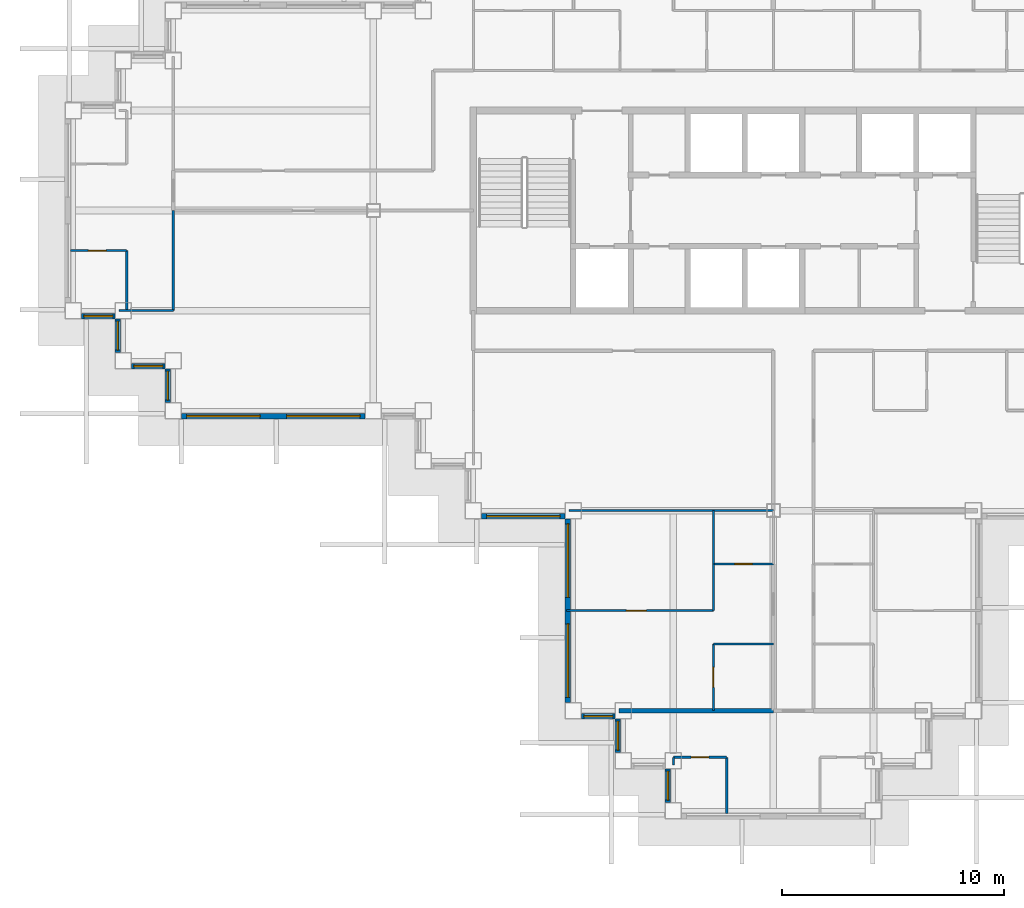
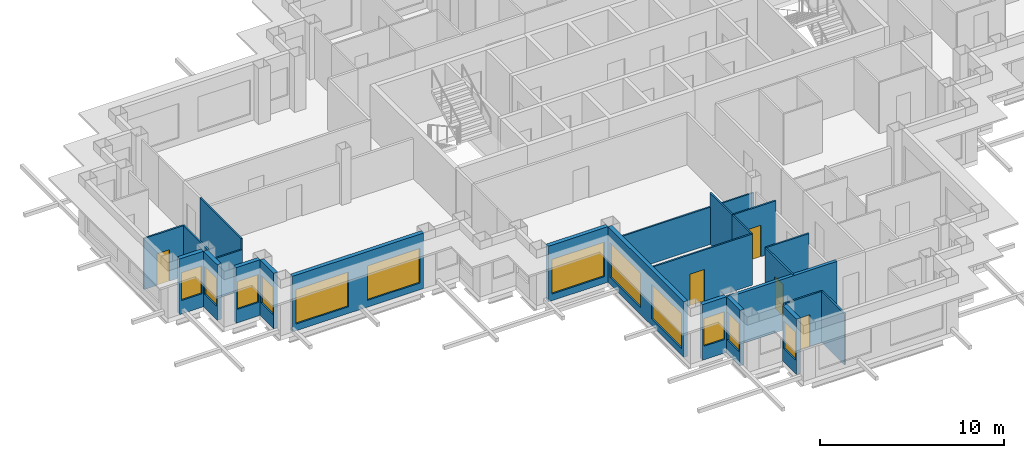
# One storey, part 3 of 15: 26 walls, 12 windows, 5 doors, 17 openings.
"""IFC4 building model written with IfcOpenShell, lengths in metres."""

import ifcopenshell
import ifcopenshell.guid

model = None  # the IFC model being written
_history = None  # IfcOwnerHistory: only IFC2X3 demands one
_inside = {}  # id of a spatial element -> (the spatial element, [elements in it])
_under = {}  # id of a project, library or spatial element -> (it, [spatial elements below it])
_declared = {}  # id of a project -> (the project, [libraries it declares])
_typed = {}  # id of a type object -> (the type object, [elements of that type])
_made_of = {}  # id of a material, layer set ... -> (it, [elements and type objects made of it])


def new_model(schema):
    """Start an empty IFC model of exactly this schema.

    Asked for "IFC4X3", IfcOpenShell would pick the latest addendum, in which some entities
    have other attributes; the version numbers below select the first issue.
    IFC2X3 requires an IfcOwnerHistory on every rooted entity: one is made here for all.
    """
    global model, _history
    if schema == "IFC4X3":
        model = ifcopenshell.file(schema_version=(4, 3, 0, 0))
    else:
        model = ifcopenshell.file(schema=schema)
    _inside.clear()
    _under.clear()
    _declared.clear()
    _typed.clear()
    _made_of.clear()
    _history = None
    if model.schema == "IFC2X3":
        org = make("IfcOrganization", Name="unknown")
        user = make(
            "IfcPersonAndOrganization",
            ThePerson=make("IfcPerson", FamilyName="unknown"),
            TheOrganization=org,
        )
        app = make(
            "IfcApplication",
            ApplicationDeveloper=org,
            Version="unknown",
            ApplicationFullName="unknown",
            ApplicationIdentifier="unknown",
        )
        _history = make(
            "IfcOwnerHistory",
            OwningUser=user,
            OwningApplication=app,
            ChangeAction="ADDED",
            CreationDate=0,
        )
    return model


def make(cls, **values):
    """One entity of the class cls with the attributes given. An attribute that is None is left unset."""
    return model.create_entity(
        cls, **{name: value for name, value in values.items() if value is not None}
    )


def rooted(cls, **values):
    """An entity with a GlobalId (a new one), such as an element, a storey or a relation."""
    return make(cls, GlobalId=ifcopenshell.guid.new(), OwnerHistory=_history, **values)


def si_unit(unit_type, name, prefix=None):
    """IfcSIUnit, for example si_unit("LENGTHUNIT", "METRE", prefix="MILLI")."""
    return make("IfcSIUnit", UnitType=unit_type, Prefix=prefix, Name=name)


def assignment(units):
    """IfcUnitAssignment: the units of a project."""
    return None if units is None else make("IfcUnitAssignment", Units=units)


def point(xyz):
    """IfcCartesianPoint."""
    return None if xyz is None else make("IfcCartesianPoint", Coordinates=xyz)


def direction(xyz):
    """IfcDirection."""
    return None if xyz is None else make("IfcDirection", DirectionRatios=xyz)


def frame(location, z_axis=None, x_axis=None):
    """IfcAxis2Placement3D, a coordinate frame: its origin and axes. An axis left out is left unset."""
    return make(
        "IfcAxis2Placement3D",
        Location=point(location),
        Axis=direction(z_axis),
        RefDirection=direction(x_axis),
    )


def frame_2d(location, x_axis=None):
    """IfcAxis2Placement2D, a coordinate frame in the plane: its origin and x axis."""
    return make(
        "IfcAxis2Placement2D", Location=point(location), RefDirection=direction(x_axis)
    )


def origin():
    """The frame at (0, 0, 0) with its axes left unset."""
    return frame((0.0, 0.0, 0.0))


def place(relative_to, where):
    """IfcLocalPlacement: puts the frame where relative to a parent placement (None: the world)."""
    return make(
        "IfcLocalPlacement", PlacementRelTo=relative_to, RelativePlacement=where
    )


def context(
    kind, dimensions, precision=None, world=None, true_north=None, identifier=None
):
    """IfcGeometricRepresentationContext, for example the 3D "Model" context."""
    return make(
        "IfcGeometricRepresentationContext",
        ContextIdentifier=identifier,
        ContextType=kind,
        CoordinateSpaceDimension=dimensions,
        Precision=precision,
        WorldCoordinateSystem=world,
        TrueNorth=true_north,
    )


def subcontext(parent, identifier, kind, view, scale=None):
    """IfcGeometricRepresentationSubContext, for example "Body" below "Model"."""
    return make(
        "IfcGeometricRepresentationSubContext",
        ContextIdentifier=identifier,
        ContextType=kind,
        ParentContext=parent,
        TargetScale=scale,
        TargetView=view,
    )


def project(units=None, contexts=None):
    """IfcProject with its units and contexts."""
    return rooted(
        "IfcProject",
        Name="project",
        RepresentationContexts=contexts,
        UnitsInContext=assignment(units),
    )


def spatial(cls, under=None, at=None, **own):
    """A site, building, storey or space (cls), placed at a placement, below another one or the project."""
    s = rooted(cls, ObjectPlacement=at, **own)
    if under is not None:
        _under.setdefault(under.id(), (under, []))[1].append(s)
    return s


def profile(cls, at=None, kind="AREA", **sizes):
    """A parametric profile (cls). Its sizes go by their IFC names, for example OverallWidth=200.0."""
    return make(cls, ProfileType=kind, Position=at, **sizes)


def rectangle(**sizes):
    """IfcRectangleProfileDef."""
    return profile("IfcRectangleProfileDef", **sizes)


def extrude(swept, where, along, depth):
    """IfcExtrudedAreaSolid: the profile swept, set in the frame where, extruded along a direction by depth."""
    return make(
        "IfcExtrudedAreaSolid",
        SweptArea=swept,
        Position=where,
        ExtrudedDirection=direction(along),
        Depth=depth,
    )


def shape(context_of_items, identifier, shape_type, items):
    """IfcShapeRepresentation: the items that make up one representation, for example the "Body"."""
    return make(
        "IfcShapeRepresentation",
        ContextOfItems=context_of_items,
        RepresentationIdentifier=identifier,
        RepresentationType=shape_type,
        Items=items,
    )


def material(Name=None, Category=None):
    """IfcMaterial."""
    return make("IfcMaterial", Name=Name, Category=Category)


def layer(
    of_material, thickness, ventilated=None, Name=None, Category=None, Priority=None
):
    """IfcMaterialLayer: one layer of a wall or slab, of a material (None: an air gap)."""
    return make(
        "IfcMaterialLayer",
        Material=of_material,
        LayerThickness=thickness,
        IsVentilated=ventilated,
        Name=Name,
        Category=Category,
        Priority=Priority,
    )


def layer_set(layers, Name=None):
    """IfcMaterialLayerSet."""
    return make("IfcMaterialLayerSet", MaterialLayers=layers, LayerSetName=Name)


def made_of(thing, what):
    """Note that an element or type object is made of a material, layer set ...; save() writes the relation."""
    if what is not None:
        _made_of.setdefault(what.id(), (what, []))[1].append(thing)
    return thing


def type_object(cls, material=None, **own):
    """A type object (cls), such as IfcWallType, which elements share."""
    return made_of(rooted(cls, **own), material)


def element(
    cls,
    number,
    at=None,
    inside=None,
    cuts=None,
    type_object=None,
    material=None,
    context=None,
    identifier="Body",
    shape_type=None,
    held_by="IfcProductDefinitionShape",
    body=None,
    shapes=None,
    **own,
):
    """One element of the class cls, such as IfcWall. Its Tag is "e" and its number.

    at: its placement. inside: the storey or other place that contains it. cuts: it is an
    opening in that element (IfcRelVoidsElement). A single representation is given by context,
    identifier, shape_type and body (its items); several are given by shapes. held_by: the class
    of the entity that holds the representations. save() writes the other relations.
    """
    e = rooted(cls, Tag="e%d" % number, ObjectPlacement=at, **own)
    if body is not None:
        shapes = [shape(context, identifier, shape_type, body)]
    if shapes is not None:
        e.Representation = make(held_by, Representations=shapes)
    if inside is not None:
        _inside.setdefault(inside.id(), (inside, []))[1].append(e)
    if cuts is not None:
        rooted(
            "IfcRelVoidsElement", RelatingBuildingElement=cuts, RelatedOpeningElement=e
        )
    if type_object is not None:
        _typed.setdefault(type_object.id(), (type_object, []))[1].append(e)
    return made_of(e, material)


def fill(opening, filler):
    """IfcRelFillsElement: the door or window that sits in an opening."""
    return rooted(
        "IfcRelFillsElement",
        RelatingOpeningElement=opening,
        RelatedBuildingElement=filler,
    )


def aggregate(whole, parts):
    """IfcRelAggregates: a whole, such as a stair, and the parts it consists of."""
    return rooted("IfcRelAggregates", RelatingObject=whole, RelatedObjects=parts)


def save(model, path):
    """Write the relations noted so far, then the file.

    IfcRelAggregates (storeys below a building ...), IfcRelContainedInSpatialStructure (elements
    in a storey), IfcRelDefinesByType, IfcRelAssociatesMaterial and IfcRelDeclares: one each for
    every whole, place, type object, material and project.
    """
    for whole, parts in _under.values():
        aggregate(whole, parts)
    for where, things in _inside.values():
        rooted(
            "IfcRelContainedInSpatialStructure",
            RelatedElements=things,
            RelatingStructure=where,
        )
    for kind, things in _typed.values():
        rooted("IfcRelDefinesByType", RelatedObjects=things, RelatingType=kind)
    for what, things in _made_of.values():
        rooted("IfcRelAssociatesMaterial", RelatedObjects=things, RelatingMaterial=what)
    for by, libraries in _declared.values():
        rooted("IfcRelDeclares", RelatingContext=by, RelatedDefinitions=libraries)
    model.write(path)


model = new_model("IFC4")

# Units and contexts
model_context = context("Model", 3, precision=1e-05, world=origin(), true_north=direction((0.0, 1.0)))
body_context = subcontext(model_context, "Body", "Model", "MODEL_VIEW")
ifc_project = project(units=[si_unit("LENGTHUNIT", "METRE"), si_unit("AREAUNIT", "SQUARE_METRE"), si_unit("VOLUMEUNIT", "CUBIC_METRE"), si_unit("PLANEANGLEUNIT", "RADIAN"), si_unit("MASSUNIT", "GRAM", prefix="KILO")], contexts=[model_context])

# Site, building, storey
site_placement = place(None, origin())
site = spatial("IfcSite", under=ifc_project, at=site_placement, CompositionType="ELEMENT")
building_placement = place(site_placement, origin())
building = spatial("IfcBuilding", under=site, at=building_placement, Name="Caravel Reach Hotel and Residences", CompositionType="ELEMENT")
storey_placement = place(building_placement, frame((0.0, 0.0, 172.800048828125)))
storey = spatial("IfcBuildingStorey", under=building, at=storey_placement, Name="L43", CompositionType="ELEMENT", Elevation=172.800048828125)

# Wall, opening, door
ifc_material_1 = material(Name="Gypsum board on steel stud", Category="steel")
ifc_layer_1 = layer(ifc_material_1, 0.10009765625)
ifc_layer_set_1 = layer_set([ifc_layer_1], Name="Bathroom pod wall 100 mm")
wall_type_1 = type_object("IfcWallType", Name="Bathroom pod wall 100 mm", PredefinedType="PARTITIONING", material=ifc_layer_set_1)
wall_1_placement = place(storey_placement, frame((28.800048828125, 11.10009765625, 0.0), z_axis=(0.0, 0.0, 1.0), x_axis=(1.0, 0.0, 0.0)))
wall_1 = element("IfcWall", 1, at=wall_1_placement, inside=storey, type_object=wall_type_1, Name="L43 wall w088", PredefinedType="PARTITIONING", context=body_context, shape_type="SweptSolid", body=[
    extrude(rectangle(XDim=2.699951171875, YDim=0.10009765625, at=frame_2d((1.35009765625, 0.0))), origin(), (0.0, 0.0, 1.0), 3.39990234375),
])
opening_1_placement = place(wall_1_placement, frame((0.949951171875, 0.0, 0.0)))
opening_1 = element("IfcOpeningElement", 2, at=opening_1_placement, cuts=wall_1, Name="Opening D43-042", PredefinedType="OPENING", context=body_context, shape_type="SweptSolid", body=[
    extrude(rectangle(XDim=0.800048828125, YDim=2.10009765625, at=frame_2d((0.39990234375, 1.050048828125))), frame((0.0, 0.06005859375, 0.0), z_axis=(0.0, -1.0, 0.0), x_axis=(1.0, 0.0, 0.0)), (0.0, 0.0, 1.0), 0.1201171875),
])
ifc_material_2 = material(Name="Timber and steel door leaf", Category="steel")
door_type_1 = type_object("IfcDoorType", Name="Bathroom door 800 x 2100", OperationType="SINGLE_SWING_LEFT", PredefinedType="DOOR", material=ifc_material_2)
door_1_placement = place(opening_1_placement, origin())
door_1 = element("IfcDoor", 3, at=door_1_placement, inside=storey, type_object=door_type_1, Name="door D43-042", OperationType="SINGLE_SWING_LEFT", OverallHeight=2.10009765625, OverallWidth=0.800048828125, PredefinedType="DOOR", context=body_context, shape_type="SweptSolid", body=[
    extrude(rectangle(XDim=0.800048828125, YDim=2.10009765625, at=frame_2d((0.39990234375, 1.050048828125))), frame((0.0, 0.02490234375, 0.0), z_axis=(0.0, -1.0, 0.0), x_axis=(1.0, 0.0, 0.0)), (0.0, 0.0, 1.0), 0.050048828125),
])
fill(opening_1, door_1)

# Wall
wall_2_placement = place(storey_placement, frame((28.800048828125, 13.5, 0.0), z_axis=(0.0, 0.0, 1.0), x_axis=(1.0, 0.0, 0.0)))
element("IfcWall", 4, at=wall_2_placement, inside=storey, type_object=wall_type_1, Name="L43 wall w090", PredefinedType="PARTITIONING", context=body_context, shape_type="SweptSolid", body=[
    extrude(rectangle(XDim=2.699951171875, YDim=0.10009765625, at=frame_2d((1.35009765625, 0.0))), origin(), (0.0, 0.0, 1.0), 2.47998046875),
])

# Wall, opening, door
wall_3_placement = place(storey_placement, frame((27.0, 2.39990234375, 0.0), z_axis=(0.0, 0.0, 1.0), x_axis=(1.0, 0.0, 0.0)))
wall_3 = element("IfcWall", 5, at=wall_3_placement, inside=storey, type_object=wall_type_1, Name="L43 wall w092", PredefinedType="PARTITIONING", context=body_context, shape_type="SweptSolid", body=[
    extrude(rectangle(XDim=2.39990234375, YDim=0.10009765625, at=frame_2d((1.199951171875, 0.0))), origin(), (0.0, 0.0, 1.0), 3.39990234375),
])
opening_2_placement = place(wall_3_placement, frame((0.800048828125, 0.0, 0.0)))
opening_2 = element("IfcOpeningElement", 6, at=opening_2_placement, cuts=wall_3, Name="Opening D43-055", PredefinedType="OPENING", context=body_context, shape_type="SweptSolid", body=[
    extrude(rectangle(XDim=0.800048828125, YDim=2.10009765625, at=frame_2d((0.39990234375, 1.050048828125))), frame((0.0, 0.06005859375, 0.0), z_axis=(0.0, -1.0, 0.0), x_axis=(1.0, 0.0, 0.0)), (0.0, 0.0, 1.0), 0.1201171875),
])
door_2_placement = place(opening_2_placement, origin())
door_2 = element("IfcDoor", 7, at=door_2_placement, inside=storey, type_object=door_type_1, Name="door D43-055", OperationType="SINGLE_SWING_RIGHT", OverallHeight=2.10009765625, OverallWidth=0.800048828125, PredefinedType="DOOR", context=body_context, shape_type="SweptSolid", body=[
    extrude(rectangle(XDim=0.800048828125, YDim=2.10009765625, at=frame_2d((0.39990234375, 1.050048828125))), frame((0.0, 0.02490234375, 0.0), z_axis=(0.0, -1.0, 0.0), x_axis=(1.0, 0.0, 0.0)), (0.0, 0.0, 1.0), 0.050048828125),
])
fill(opening_2, door_2)

wall_4_placement = place(storey_placement, frame((-0.125, 25.199951171875, 0.0), z_axis=(0.0, 0.0, 1.0), x_axis=(1.0, 0.0, 0.0)))
wall_4 = element("IfcWall", 8, at=wall_4_placement, inside=storey, type_object=wall_type_1, Name="L43 wall w096", PredefinedType="PARTITIONING", context=body_context, shape_type="SweptSolid", body=[
    extrude(rectangle(XDim=2.52490234375, YDim=0.10009765625, at=frame_2d((1.262451171875, 0.0))), origin(), (0.0, 0.0, 1.0), 3.39990234375),
])
opening_3_placement = place(wall_4_placement, frame((0.800048828125, 0.0, 0.0)))
opening_3 = element("IfcOpeningElement", 9, at=opening_3_placement, cuts=wall_4, Name="Opening D43-049", PredefinedType="OPENING", context=body_context, shape_type="SweptSolid", body=[
    extrude(rectangle(XDim=0.800048828125, YDim=2.10009765625, at=frame_2d((0.39990234375, 1.050048828125))), frame((0.0, 0.06005859375, 0.0), z_axis=(0.0, -1.0, 0.0), x_axis=(1.0, 0.0, 0.0)), (0.0, 0.0, 1.0), 0.1201171875),
])
door_3_placement = place(opening_3_placement, origin())
door_3 = element("IfcDoor", 10, at=door_3_placement, inside=storey, type_object=door_type_1, Name="door D43-049", OperationType="SINGLE_SWING_LEFT", OverallHeight=2.10009765625, OverallWidth=0.800048828125, PredefinedType="DOOR", context=body_context, shape_type="SweptSolid", body=[
    extrude(rectangle(XDim=0.800048828125, YDim=2.10009765625, at=frame_2d((0.39990234375, 1.050048828125))), frame((0.0, 0.02490234375, 0.0), z_axis=(0.0, -1.0, 0.0), x_axis=(1.0, 0.0, 0.0)), (0.0, 0.0, 1.0), 0.050048828125),
])
fill(opening_3, door_3)

# Walls
wall_5_placement = place(storey_placement, frame((2.39990234375, 22.5, 0.0), z_axis=(0.0, 0.0, 1.0), x_axis=(0.0, 1.0, 0.0)))
element("IfcWall", 11, at=wall_5_placement, inside=storey, type_object=wall_type_1, Name="L43 wall w107", PredefinedType="PARTITIONING", context=body_context, shape_type="SweptSolid", body=[
    extrude(rectangle(XDim=2.699951171875, YDim=0.10009765625, at=frame_2d((1.35009765625, 0.0))), origin(), (0.0, 0.0, 1.0), 3.39990234375),
])
wall_6_placement = place(storey_placement, frame((27.0, 2.06005859375, 0.0), z_axis=(0.0, 0.0, 1.0), x_axis=(0.0, 1.0, 0.0)))
element("IfcWall", 12, at=wall_6_placement, inside=storey, type_object=wall_type_1, Name="L43 wall w109", PredefinedType="PARTITIONING", context=body_context, shape_type="SweptSolid", body=[
    extrude(rectangle(XDim=0.33984375, YDim=0.10009765625, at=frame_2d((0.169921875, 0.0))), origin(), (0.0, 0.0, 1.0), 3.39990234375),
])
wall_7_placement = place(storey_placement, frame((28.800048828125, 11.10009765625, 0.0), z_axis=(0.0, 0.0, 1.0), x_axis=(0.0, 1.0, 0.0)))
element("IfcWall", 13, at=wall_7_placement, inside=storey, type_object=wall_type_1, Name="L43 wall w111", PredefinedType="PARTITIONING", context=body_context, shape_type="SweptSolid", body=[
    extrude(rectangle(XDim=2.39990234375, YDim=0.10009765625, at=frame_2d((1.199951171875, 0.0))), origin(), (0.0, 0.0, 1.0), 3.39990234375),
])
wall_8_placement = place(storey_placement, frame((29.39990234375, -0.125, 0.0), z_axis=(0.0, 0.0, 1.0), x_axis=(0.0, 1.0, 0.0)))
element("IfcWall", 14, at=wall_8_placement, inside=storey, type_object=wall_type_1, Name="L43 wall w112", PredefinedType="PARTITIONING", context=body_context, shape_type="SweptSolid", body=[
    extrude(rectangle(XDim=2.52490234375, YDim=0.10009765625, at=frame_2d((1.262451171875, 0.0))), origin(), (0.0, 0.0, 1.0), 3.39990234375),
])

# Wall, opening, window
ifc_material_3 = material(Name="Insulated rainscreen wall, aluminium cladding", Category="aluminium")
ifc_layer_2 = layer(ifc_material_3, 0.25)
ifc_layer_set_2 = layer_set([ifc_layer_2], Name="EW1 Tower rainscreen wall")
wall_type_2 = type_object("IfcWallType", Name="EW1 Tower rainscreen wall", PredefinedType="SOLIDWALL", material=ifc_layer_set_2)
wall_9_placement = place(storey_placement, frame((22.875, 4.25, 0.0), z_axis=(0.0, 0.0, 1.0), x_axis=(1.0, 0.0, 0.0)))
wall_9 = element("IfcWall", 15, at=wall_9_placement, inside=storey, type_object=wall_type_2, Name="External wall L43 S1.1", PredefinedType="SOLIDWALL", context=body_context, shape_type="SweptSolid", body=[
    extrude(rectangle(XDim=1.5, YDim=0.25, at=frame_2d((0.75, 0.0))), origin(), (0.0, 0.0, 1.0), 3.699951171875),
])
opening_4_placement = place(wall_9_placement, frame((0.10009765625, 0.0, 0.89990234375)))
opening_4 = element("IfcOpeningElement", 16, at=opening_4_placement, cuts=wall_9, Name="Opening WN16", PredefinedType="OPENING", context=body_context, shape_type="SweptSolid", body=[
    extrude(rectangle(XDim=1.300048828125, YDim=1.85009765625, at=frame_2d((0.64990234375, 0.925048828125))), frame((0.0, 0.135009765625, 0.0), z_axis=(0.0, -1.0, 0.0), x_axis=(1.0, 0.0, 0.0)), (0.0, 0.0, 1.0), 0.27001953125),
])
ifc_material_4 = material(Name="Dark low-e glazing in black aluminium frame", Category="aluminium")
window_type_1 = type_object("IfcWindowType", Name="Residence bedroom window 1300 x 1850", PartitioningType="SINGLE_PANEL", PredefinedType="WINDOW", material=ifc_material_4)
window_1_placement = place(opening_4_placement, origin())
window_1 = element("IfcWindow", 17, at=window_1_placement, inside=storey, type_object=window_type_1, Name="Window L43 S1.1.1", OverallHeight=1.85009765625, OverallWidth=1.300048828125, PartitioningType="SINGLE_PANEL", PredefinedType="WINDOW", context=body_context, shape_type="SweptSolid", body=[
    extrude(rectangle(XDim=1.300048828125, YDim=1.85009765625, at=frame_2d((0.64990234375, 0.925048828125))), frame((0.0, 0.030029296875, 0.0), z_axis=(0.0, -1.0, 0.0), x_axis=(1.0, 0.0, 0.0)), (0.0, 0.0, 1.0), 0.06005859375),
])
fill(opening_4, window_1)

wall_10_placement = place(storey_placement, frame((24.5, 4.125, 0.0), z_axis=(0.0, 0.0, 1.0), x_axis=(0.0, -1.0, 0.0)))
wall_10 = element("IfcWall", 18, at=wall_10_placement, inside=storey, type_object=wall_type_2, Name="External wall L43 W2.1", PredefinedType="SOLIDWALL", context=body_context, shape_type="SweptSolid", body=[
    extrude(rectangle(XDim=1.5, YDim=0.25, at=frame_2d((0.75, 0.0))), origin(), (0.0, 0.0, 1.0), 3.699951171875),
])
opening_5_placement = place(wall_10_placement, frame((0.10009765625, 0.0, 0.89990234375)))
opening_5 = element("IfcOpeningElement", 19, at=opening_5_placement, cuts=wall_10, Name="Opening WN16", PredefinedType="OPENING", context=body_context, shape_type="SweptSolid", body=[
    extrude(rectangle(XDim=1.300048828125, YDim=1.85009765625, at=frame_2d((0.64990234375, 0.925048828125))), frame((0.0, 0.135009765625, 0.0), z_axis=(0.0, -1.0, 0.0), x_axis=(1.0, 0.0, 0.0)), (0.0, 0.0, 1.0), 0.27001953125),
])
window_2_placement = place(opening_5_placement, origin())
window_2 = element("IfcWindow", 20, at=window_2_placement, inside=storey, type_object=window_type_1, Name="Window L43 W2.1.1", OverallHeight=1.85009765625, OverallWidth=1.300048828125, PartitioningType="SINGLE_PANEL", PredefinedType="WINDOW", context=body_context, shape_type="SweptSolid", body=[
    extrude(rectangle(XDim=1.300048828125, YDim=1.85009765625, at=frame_2d((0.64990234375, 0.925048828125))), frame((0.0, 0.030029296875, 0.0), z_axis=(0.0, -1.0, 0.0), x_axis=(1.0, 0.0, 0.0)), (0.0, 0.0, 1.0), 0.06005859375),
])
fill(opening_5, window_2)

wall_11_placement = place(storey_placement, frame((26.75, 1.875, 0.0), z_axis=(0.0, 0.0, 1.0), x_axis=(0.0, -1.0, 0.0)))
wall_11 = element("IfcWall", 21, at=wall_11_placement, inside=storey, type_object=wall_type_2, Name="External wall L43 W4.1", PredefinedType="SOLIDWALL", context=body_context, shape_type="SweptSolid", body=[
    extrude(rectangle(XDim=1.5, YDim=0.25, at=frame_2d((0.75, 0.0))), origin(), (0.0, 0.0, 1.0), 3.699951171875),
])
opening_6_placement = place(wall_11_placement, frame((0.10009765625, 0.0, 0.89990234375)))
opening_6 = element("IfcOpeningElement", 22, at=opening_6_placement, cuts=wall_11, Name="Opening WN16", PredefinedType="OPENING", context=body_context, shape_type="SweptSolid", body=[
    extrude(rectangle(XDim=1.300048828125, YDim=1.85009765625, at=frame_2d((0.64990234375, 0.925048828125))), frame((0.0, 0.135009765625, 0.0), z_axis=(0.0, -1.0, 0.0), x_axis=(1.0, 0.0, 0.0)), (0.0, 0.0, 1.0), 0.27001953125),
])
window_3_placement = place(opening_6_placement, origin())
window_3 = element("IfcWindow", 23, at=window_3_placement, inside=storey, type_object=window_type_1, Name="Window L43 W4.1.1", OverallHeight=1.85009765625, OverallWidth=1.300048828125, PartitioningType="SINGLE_PANEL", PredefinedType="WINDOW", context=body_context, shape_type="SweptSolid", body=[
    extrude(rectangle(XDim=1.300048828125, YDim=1.85009765625, at=frame_2d((0.64990234375, 0.925048828125))), frame((0.0, 0.030029296875, 0.0), z_axis=(0.0, -1.0, 0.0), x_axis=(1.0, 0.0, 0.0)), (0.0, 0.0, 1.0), 0.06005859375),
])
fill(opening_6, window_3)

wall_12_placement = place(storey_placement, frame((0.375, 22.25, 0.0), z_axis=(0.0, 0.0, 1.0), x_axis=(1.0, 0.0, 0.0)))
wall_12 = element("IfcWall", 24, at=wall_12_placement, inside=storey, type_object=wall_type_2, Name="External wall L43 S39.1", PredefinedType="SOLIDWALL", context=body_context, shape_type="SweptSolid", body=[
    extrude(rectangle(XDim=1.5, YDim=0.25, at=frame_2d((0.75, 0.0))), origin(), (0.0, 0.0, 1.0), 3.699951171875),
])
opening_7_placement = place(wall_12_placement, frame((0.10009765625, 0.0, 0.89990234375)))
opening_7 = element("IfcOpeningElement", 25, at=opening_7_placement, cuts=wall_12, Name="Opening WN16", PredefinedType="OPENING", context=body_context, shape_type="SweptSolid", body=[
    extrude(rectangle(XDim=1.300048828125, YDim=1.85009765625, at=frame_2d((0.64990234375, 0.925048828125))), frame((0.0, 0.135009765625, 0.0), z_axis=(0.0, -1.0, 0.0), x_axis=(1.0, 0.0, 0.0)), (0.0, 0.0, 1.0), 0.27001953125),
])
window_4_placement = place(opening_7_placement, origin())
window_4 = element("IfcWindow", 26, at=window_4_placement, inside=storey, type_object=window_type_1, Name="Window L43 S39.1.1", OverallHeight=1.85009765625, OverallWidth=1.300048828125, PartitioningType="SINGLE_PANEL", PredefinedType="WINDOW", context=body_context, shape_type="SweptSolid", body=[
    extrude(rectangle(XDim=1.300048828125, YDim=1.85009765625, at=frame_2d((0.64990234375, 0.925048828125))), frame((0.0, 0.030029296875, 0.0), z_axis=(0.0, -1.0, 0.0), x_axis=(1.0, 0.0, 0.0)), (0.0, 0.0, 1.0), 0.06005859375),
])
fill(opening_7, window_4)

wall_13_placement = place(storey_placement, frame((2.0, 22.125, 0.0), z_axis=(0.0, 0.0, 1.0), x_axis=(0.0, -1.0, 0.0)))
wall_13 = element("IfcWall", 27, at=wall_13_placement, inside=storey, type_object=wall_type_2, Name="External wall L43 W40.1", PredefinedType="SOLIDWALL", context=body_context, shape_type="SweptSolid", body=[
    extrude(rectangle(XDim=1.5, YDim=0.25, at=frame_2d((0.75, 0.0))), origin(), (0.0, 0.0, 1.0), 3.699951171875),
])
opening_8_placement = place(wall_13_placement, frame((0.10009765625, 0.0, 0.89990234375)))
opening_8 = element("IfcOpeningElement", 28, at=opening_8_placement, cuts=wall_13, Name="Opening WN16", PredefinedType="OPENING", context=body_context, shape_type="SweptSolid", body=[
    extrude(rectangle(XDim=1.300048828125, YDim=1.85009765625, at=frame_2d((0.64990234375, 0.925048828125))), frame((0.0, 0.135009765625, 0.0), z_axis=(0.0, -1.0, 0.0), x_axis=(1.0, 0.0, 0.0)), (0.0, 0.0, 1.0), 0.27001953125),
])
window_5_placement = place(opening_8_placement, origin())
window_5 = element("IfcWindow", 29, at=window_5_placement, inside=storey, type_object=window_type_1, Name="Window L43 W40.1.1", OverallHeight=1.85009765625, OverallWidth=1.300048828125, PartitioningType="SINGLE_PANEL", PredefinedType="WINDOW", context=body_context, shape_type="SweptSolid", body=[
    extrude(rectangle(XDim=1.300048828125, YDim=1.85009765625, at=frame_2d((0.64990234375, 0.925048828125))), frame((0.0, 0.030029296875, 0.0), z_axis=(0.0, -1.0, 0.0), x_axis=(1.0, 0.0, 0.0)), (0.0, 0.0, 1.0), 0.06005859375),
])
fill(opening_8, window_5)

wall_14_placement = place(storey_placement, frame((2.625, 20.0, 0.0), z_axis=(0.0, 0.0, 1.0), x_axis=(1.0, 0.0, 0.0)))
wall_14 = element("IfcWall", 30, at=wall_14_placement, inside=storey, type_object=wall_type_2, Name="External wall L43 S41.1", PredefinedType="SOLIDWALL", context=body_context, shape_type="SweptSolid", body=[
    extrude(rectangle(XDim=1.5, YDim=0.25, at=frame_2d((0.75, 0.0))), origin(), (0.0, 0.0, 1.0), 3.699951171875),
])
opening_9_placement = place(wall_14_placement, frame((0.10009765625, 0.0, 0.89990234375)))
opening_9 = element("IfcOpeningElement", 31, at=opening_9_placement, cuts=wall_14, Name="Opening WN16", PredefinedType="OPENING", context=body_context, shape_type="SweptSolid", body=[
    extrude(rectangle(XDim=1.300048828125, YDim=1.85009765625, at=frame_2d((0.64990234375, 0.925048828125))), frame((0.0, 0.135009765625, 0.0), z_axis=(0.0, -1.0, 0.0), x_axis=(1.0, 0.0, 0.0)), (0.0, 0.0, 1.0), 0.27001953125),
])
window_6_placement = place(opening_9_placement, origin())
window_6 = element("IfcWindow", 32, at=window_6_placement, inside=storey, type_object=window_type_1, Name="Window L43 S41.1.1", OverallHeight=1.85009765625, OverallWidth=1.300048828125, PartitioningType="SINGLE_PANEL", PredefinedType="WINDOW", context=body_context, shape_type="SweptSolid", body=[
    extrude(rectangle(XDim=1.300048828125, YDim=1.85009765625, at=frame_2d((0.64990234375, 0.925048828125))), frame((0.0, 0.030029296875, 0.0), z_axis=(0.0, -1.0, 0.0), x_axis=(1.0, 0.0, 0.0)), (0.0, 0.0, 1.0), 0.06005859375),
])
fill(opening_9, window_6)

wall_15_placement = place(storey_placement, frame((4.25, 19.875, 0.0), z_axis=(0.0, 0.0, 1.0), x_axis=(0.0, -1.0, 0.0)))
wall_15 = element("IfcWall", 33, at=wall_15_placement, inside=storey, type_object=wall_type_2, Name="External wall L43 W42.1", PredefinedType="SOLIDWALL", context=body_context, shape_type="SweptSolid", body=[
    extrude(rectangle(XDim=1.5, YDim=0.25, at=frame_2d((0.75, 0.0))), origin(), (0.0, 0.0, 1.0), 3.699951171875),
])
opening_10_placement = place(wall_15_placement, frame((0.10009765625, 0.0, 0.89990234375)))
opening_10 = element("IfcOpeningElement", 34, at=opening_10_placement, cuts=wall_15, Name="Opening WN16", PredefinedType="OPENING", context=body_context, shape_type="SweptSolid", body=[
    extrude(rectangle(XDim=1.300048828125, YDim=1.85009765625, at=frame_2d((0.64990234375, 0.925048828125))), frame((0.0, 0.135009765625, 0.0), z_axis=(0.0, -1.0, 0.0), x_axis=(1.0, 0.0, 0.0)), (0.0, 0.0, 1.0), 0.27001953125),
])
window_7_placement = place(opening_10_placement, origin())
window_7 = element("IfcWindow", 35, at=window_7_placement, inside=storey, type_object=window_type_1, Name="Window L43 W42.1.1", OverallHeight=1.85009765625, OverallWidth=1.300048828125, PartitioningType="SINGLE_PANEL", PredefinedType="WINDOW", context=body_context, shape_type="SweptSolid", body=[
    extrude(rectangle(XDim=1.300048828125, YDim=1.85009765625, at=frame_2d((0.64990234375, 0.925048828125))), frame((0.0, 0.030029296875, 0.0), z_axis=(0.0, -1.0, 0.0), x_axis=(1.0, 0.0, 0.0)), (0.0, 0.0, 1.0), 0.06005859375),
])
fill(opening_10, window_7)

# Wall, openings, windows
wall_16_placement = place(storey_placement, frame((4.875, 17.75, 0.0), z_axis=(0.0, 0.0, 1.0), x_axis=(1.0, 0.0, 0.0)))
wall_16 = element("IfcWall", 36, at=wall_16_placement, inside=storey, type_object=wall_type_2, Name="External wall L43 S43.1", PredefinedType="SOLIDWALL", context=body_context, shape_type="SweptSolid", body=[
    extrude(rectangle(XDim=8.25, YDim=0.25, at=frame_2d((4.125, 0.0))), origin(), (0.0, 0.0, 1.0), 3.699951171875),
])
opening_11_placement = place(wall_16_placement, frame((0.22509765625, 0.0, 0.449951171875)))
opening_11 = element("IfcOpeningElement", 37, at=opening_11_placement, cuts=wall_16, Name="Opening WN15", PredefinedType="OPENING", context=body_context, shape_type="SweptSolid", body=[
    extrude(rectangle(XDim=3.300048828125, YDim=2.300048828125, at=frame_2d((1.64990234375, 1.14990234375))), frame((0.0, 0.135009765625, 0.0), z_axis=(0.0, -1.0, 0.0), x_axis=(1.0, 0.0, 0.0)), (0.0, 0.0, 1.0), 0.27001953125),
])
opening_12_placement = place(wall_16_placement, frame((4.72509765625, 0.0, 0.449951171875)))
opening_12 = element("IfcOpeningElement", 38, at=opening_12_placement, cuts=wall_16, Name="Opening WN15", PredefinedType="OPENING", context=body_context, shape_type="SweptSolid", body=[
    extrude(rectangle(XDim=3.300048828125, YDim=2.300048828125, at=frame_2d((1.64990234375, 1.14990234375))), frame((0.0, 0.135009765625, 0.0), z_axis=(0.0, -1.0, 0.0), x_axis=(1.0, 0.0, 0.0)), (0.0, 0.0, 1.0), 0.27001953125),
])
ifc_material_5 = material(Name="Dark low-e glazing in black aluminium frame", Category="aluminium")
window_type_2 = type_object("IfcWindowType", Name="Residence living window 3300 x 2300", PartitioningType="SINGLE_PANEL", PredefinedType="WINDOW", material=ifc_material_5)
window_8_placement = place(opening_11_placement, origin())
window_8 = element("IfcWindow", 39, at=window_8_placement, inside=storey, type_object=window_type_2, Name="Window L43 S43.1.1", OverallHeight=2.300048828125, OverallWidth=3.300048828125, PartitioningType="SINGLE_PANEL", PredefinedType="WINDOW", context=body_context, shape_type="SweptSolid", body=[
    extrude(rectangle(XDim=3.300048828125, YDim=2.300048828125, at=frame_2d((1.64990234375, 1.14990234375))), frame((0.0, 0.030029296875, 0.0), z_axis=(0.0, -1.0, 0.0), x_axis=(1.0, 0.0, 0.0)), (0.0, 0.0, 1.0), 0.06005859375),
])
fill(opening_11, window_8)
window_9_placement = place(opening_12_placement, origin())
window_9 = element("IfcWindow", 40, at=window_9_placement, inside=storey, type_object=window_type_2, Name="Window L43 S43.1.2", OverallHeight=2.300048828125, OverallWidth=3.300048828125, PartitioningType="SINGLE_PANEL", PredefinedType="WINDOW", context=body_context, shape_type="SweptSolid", body=[
    extrude(rectangle(XDim=3.300048828125, YDim=2.300048828125, at=frame_2d((1.64990234375, 1.14990234375))), frame((0.0, 0.030029296875, 0.0), z_axis=(0.0, -1.0, 0.0), x_axis=(1.0, 0.0, 0.0)), (0.0, 0.0, 1.0), 0.06005859375),
])
fill(opening_12, window_9)

# Wall, opening, window
wall_17_placement = place(storey_placement, frame((18.375, 13.25, 0.0), z_axis=(0.0, 0.0, 1.0), x_axis=(1.0, 0.0, 0.0)))
wall_17 = element("IfcWall", 41, at=wall_17_placement, inside=storey, type_object=wall_type_2, Name="External wall L43 S47.1", PredefinedType="SOLIDWALL", context=body_context, shape_type="SweptSolid", body=[
    extrude(rectangle(XDim=3.75, YDim=0.25, at=frame_2d((1.875, 0.0))), origin(), (0.0, 0.0, 1.0), 3.699951171875),
])
opening_13_placement = place(wall_17_placement, frame((0.22509765625, 0.0, 0.449951171875)))
opening_13 = element("IfcOpeningElement", 42, at=opening_13_placement, cuts=wall_17, Name="Opening WN15", PredefinedType="OPENING", context=body_context, shape_type="SweptSolid", body=[
    extrude(rectangle(XDim=3.300048828125, YDim=2.300048828125, at=frame_2d((1.64990234375, 1.14990234375))), frame((0.0, 0.135009765625, 0.0), z_axis=(0.0, -1.0, 0.0), x_axis=(1.0, 0.0, 0.0)), (0.0, 0.0, 1.0), 0.27001953125),
])
window_10_placement = place(opening_13_placement, origin())
window_10 = element("IfcWindow", 43, at=window_10_placement, inside=storey, type_object=window_type_2, Name="Window L43 S47.1.1", OverallHeight=2.300048828125, OverallWidth=3.300048828125, PartitioningType="SINGLE_PANEL", PredefinedType="WINDOW", context=body_context, shape_type="SweptSolid", body=[
    extrude(rectangle(XDim=3.300048828125, YDim=2.300048828125, at=frame_2d((1.64990234375, 1.14990234375))), frame((0.0, 0.030029296875, 0.0), z_axis=(0.0, -1.0, 0.0), x_axis=(1.0, 0.0, 0.0)), (0.0, 0.0, 1.0), 0.06005859375),
])
fill(opening_13, window_10)

# Wall, openings, windows
wall_18_placement = place(storey_placement, frame((22.25, 13.125, 0.0), z_axis=(0.0, 0.0, 1.0), x_axis=(0.0, -1.0, 0.0)))
wall_18 = element("IfcWall", 44, at=wall_18_placement, inside=storey, type_object=wall_type_2, Name="External wall L43 W48.1", PredefinedType="SOLIDWALL", context=body_context, shape_type="SweptSolid", body=[
    extrude(rectangle(XDim=8.25, YDim=0.25, at=frame_2d((4.125, 0.0))), origin(), (0.0, 0.0, 1.0), 3.699951171875),
])
opening_14_placement = place(wall_18_placement, frame((0.22509765625, 0.0, 0.449951171875)))
opening_14 = element("IfcOpeningElement", 45, at=opening_14_placement, cuts=wall_18, Name="Opening WN15", PredefinedType="OPENING", context=body_context, shape_type="SweptSolid", body=[
    extrude(rectangle(XDim=3.300048828125, YDim=2.300048828125, at=frame_2d((1.64990234375, 1.14990234375))), frame((0.0, 0.135009765625, 0.0), z_axis=(0.0, -1.0, 0.0), x_axis=(1.0, 0.0, 0.0)), (0.0, 0.0, 1.0), 0.27001953125),
])
opening_15_placement = place(wall_18_placement, frame((4.72509765625, 0.0, 0.449951171875)))
opening_15 = element("IfcOpeningElement", 46, at=opening_15_placement, cuts=wall_18, Name="Opening WN15", PredefinedType="OPENING", context=body_context, shape_type="SweptSolid", body=[
    extrude(rectangle(XDim=3.300048828125, YDim=2.300048828125, at=frame_2d((1.64990234375, 1.14990234375))), frame((0.0, 0.135009765625, 0.0), z_axis=(0.0, -1.0, 0.0), x_axis=(1.0, 0.0, 0.0)), (0.0, 0.0, 1.0), 0.27001953125),
])
window_11_placement = place(opening_14_placement, origin())
window_11 = element("IfcWindow", 47, at=window_11_placement, inside=storey, type_object=window_type_2, Name="Window L43 W48.1.1", OverallHeight=2.300048828125, OverallWidth=3.300048828125, PartitioningType="SINGLE_PANEL", PredefinedType="WINDOW", context=body_context, shape_type="SweptSolid", body=[
    extrude(rectangle(XDim=3.300048828125, YDim=2.300048828125, at=frame_2d((1.64990234375, 1.14990234375))), frame((0.0, 0.030029296875, 0.0), z_axis=(0.0, -1.0, 0.0), x_axis=(1.0, 0.0, 0.0)), (0.0, 0.0, 1.0), 0.06005859375),
])
fill(opening_14, window_11)
window_12_placement = place(opening_15_placement, origin())
window_12 = element("IfcWindow", 48, at=window_12_placement, inside=storey, type_object=window_type_2, Name="Window L43 W48.1.2", OverallHeight=2.300048828125, OverallWidth=3.300048828125, PartitioningType="SINGLE_PANEL", PredefinedType="WINDOW", context=body_context, shape_type="SweptSolid", body=[
    extrude(rectangle(XDim=3.300048828125, YDim=2.300048828125, at=frame_2d((1.64990234375, 1.14990234375))), frame((0.0, 0.030029296875, 0.0), z_axis=(0.0, -1.0, 0.0), x_axis=(1.0, 0.0, 0.0)), (0.0, 0.0, 1.0), 0.06005859375),
])
fill(opening_15, window_12)

# Walls
ifc_material_6 = material(Name="Gypsum board on steel stud", Category="steel")
ifc_layer_3 = layer(ifc_material_6, 0.10009765625)
ifc_layer_set_3 = layer_set([ifc_layer_3], Name="Partition 100 mm")
wall_type_3 = type_object("IfcWallType", Name="Partition 100 mm", PredefinedType="PARTITIONING", material=ifc_layer_set_3)
wall_19_placement = place(storey_placement, frame((22.31005859375, 13.5, 0.0), z_axis=(0.0, 0.0, 1.0), x_axis=(1.0, 0.0, 0.0)))
element("IfcWall", 49, at=wall_19_placement, inside=storey, type_object=wall_type_3, Name="L43 wall w031", PredefinedType="PARTITIONING", context=body_context, shape_type="SweptSolid", body=[
    extrude(rectangle(XDim=6.489990234375, YDim=0.10009765625, at=frame_2d((3.2451171875, 0.0))), origin(), (0.0, 0.0, 1.0), 2.47998046875),
])
wall_20_placement = place(storey_placement, frame((2.06005859375, 22.5, 0.0), z_axis=(0.0, 0.0, 1.0), x_axis=(1.0, 0.0, 0.0)))
element("IfcWall", 50, at=wall_20_placement, inside=storey, type_object=wall_type_3, Name="L43 wall w036", PredefinedType="PARTITIONING", context=body_context, shape_type="SweptSolid", body=[
    extrude(rectangle(XDim=2.43896484375, YDim=0.10009765625, at=frame_2d((1.219482421875, 0.0))), origin(), (0.0, 0.0, 1.0), 2.679931640625),
])
wall_21_placement = place(storey_placement, frame((28.800048828125, 7.5, 0.0), z_axis=(0.0, 0.0, 1.0), x_axis=(1.0, 0.0, 0.0)))
element("IfcWall", 51, at=wall_21_placement, inside=storey, type_object=wall_type_3, Name="L43 wall w049", PredefinedType="PARTITIONING", context=body_context, shape_type="SweptSolid", body=[
    extrude(rectangle(XDim=2.699951171875, YDim=0.10009765625, at=frame_2d((1.35009765625, 0.0))), origin(), (0.0, 0.0, 1.0), 3.39990234375),
])

# Wall, opening, door
wall_22_placement = place(storey_placement, frame((22.18505859375, 9.0, 0.0), z_axis=(0.0, 0.0, 1.0), x_axis=(1.0, 0.0, 0.0)))
wall_22 = element("IfcWall", 52, at=wall_22_placement, inside=storey, type_object=wall_type_3, Name="L43 wall w051", PredefinedType="PARTITIONING", context=body_context, shape_type="SweptSolid", body=[
    extrude(rectangle(XDim=6.614990234375, YDim=0.10009765625, at=frame_2d((3.3076171875, 0.0))), origin(), (0.0, 0.0, 1.0), 3.39990234375),
])
opening_16_placement = place(wall_22_placement, frame((2.699951171875, 0.0, 0.0)))
opening_16 = element("IfcOpeningElement", 53, at=opening_16_placement, cuts=wall_22, Name="Opening D43-043", PredefinedType="OPENING", context=body_context, shape_type="SweptSolid", body=[
    extrude(rectangle(XDim=0.89990234375, YDim=2.10009765625, at=frame_2d((0.449951171875, 1.050048828125))), frame((0.0, 0.06005859375, 0.0), z_axis=(0.0, -1.0, 0.0), x_axis=(1.0, 0.0, 0.0)), (0.0, 0.0, 1.0), 0.1201171875),
])
ifc_material_7 = material(Name="Timber and steel door leaf", Category="steel")
door_type_2 = type_object("IfcDoorType", Name="Door 900 x 2100 timber", OperationType="SINGLE_SWING_LEFT", PredefinedType="DOOR", material=ifc_material_7)
door_4_placement = place(opening_16_placement, origin())
door_4 = element("IfcDoor", 54, at=door_4_placement, inside=storey, type_object=door_type_2, Name="door D43-043", OperationType="SINGLE_SWING_RIGHT", OverallHeight=2.10009765625, OverallWidth=0.89990234375, PredefinedType="DOOR", context=body_context, shape_type="SweptSolid", body=[
    extrude(rectangle(XDim=0.89990234375, YDim=2.10009765625, at=frame_2d((0.449951171875, 1.050048828125))), frame((0.0, 0.02490234375, 0.0), z_axis=(0.0, -1.0, 0.0), x_axis=(1.0, 0.0, 0.0)), (0.0, 0.0, 1.0), 0.050048828125),
])
fill(opening_16, door_4)

# Wall
wall_23_placement = place(storey_placement, frame((28.800048828125, 9.0, 0.0), z_axis=(0.0, 0.0, 1.0), x_axis=(0.0, 1.0, 0.0)))
element("IfcWall", 55, at=wall_23_placement, inside=storey, type_object=wall_type_3, Name="L43 wall w059", PredefinedType="PARTITIONING", context=body_context, shape_type="SweptSolid", body=[
    extrude(rectangle(XDim=2.10009765625, YDim=0.10009765625, at=frame_2d((1.050048828125, 0.0))), origin(), (0.0, 0.0, 1.0), 3.39990234375),
])

# Wall, opening, door
wall_24_placement = place(storey_placement, frame((28.800048828125, 4.5, 0.0), z_axis=(0.0, 0.0, 1.0), x_axis=(0.0, 1.0, 0.0)))
wall_24 = element("IfcWall", 56, at=wall_24_placement, inside=storey, type_object=wall_type_3, Name="L43 wall w060", PredefinedType="PARTITIONING", context=body_context, shape_type="SweptSolid", body=[
    extrude(rectangle(XDim=3.0, YDim=0.10009765625, at=frame_2d((1.5, 0.0))), origin(), (0.0, 0.0, 1.0), 3.39990234375),
])
opening_17_placement = place(wall_24_placement, frame((1.050048828125, 0.0, 0.0)))
opening_17 = element("IfcOpeningElement", 57, at=opening_17_placement, cuts=wall_24, Name="Opening D43-041", PredefinedType="OPENING", context=body_context, shape_type="SweptSolid", body=[
    extrude(rectangle(XDim=0.89990234375, YDim=2.10009765625, at=frame_2d((0.449951171875, 1.050048828125))), frame((0.0, 0.06005859375, 0.0), z_axis=(0.0, -1.0, 0.0), x_axis=(1.0, 0.0, 0.0)), (0.0, 0.0, 1.0), 0.1201171875),
])
door_5_placement = place(opening_17_placement, origin())
door_5 = element("IfcDoor", 58, at=door_5_placement, inside=storey, type_object=door_type_2, Name="door D43-041", OperationType="SINGLE_SWING_RIGHT", OverallHeight=2.10009765625, OverallWidth=0.89990234375, PredefinedType="DOOR", context=body_context, shape_type="SweptSolid", body=[
    extrude(rectangle(XDim=0.89990234375, YDim=2.10009765625, at=frame_2d((0.449951171875, 1.050048828125))), frame((0.0, 0.02490234375, 0.0), z_axis=(0.0, -1.0, 0.0), x_axis=(1.0, 0.0, 0.0)), (0.0, 0.0, 1.0), 0.050048828125),
])
fill(opening_17, door_5)

# Walls
wall_25_placement = place(storey_placement, frame((4.5, 22.5, 0.0), z_axis=(0.0, 0.0, 1.0), x_axis=(0.0, 1.0, 0.0)))
element("IfcWall", 59, at=wall_25_placement, inside=storey, type_object=wall_type_3, Name="L43 wall w069", PredefinedType="PARTITIONING", context=body_context, shape_type="SweptSolid", body=[
    extrude(rectangle(XDim=4.5, YDim=0.10009765625, at=frame_2d((2.25, 0.0))), origin(), (0.0, 0.0, 1.0), 3.39990234375),
])
ifc_material_8 = material(Name="Autoclaved aerated block wall")
ifc_layer_4 = layer(ifc_material_8, 0.199951171875)
ifc_layer_set_4 = layer_set([ifc_layer_4], Name="Party wall 200 mm EI 60")
wall_type_4 = type_object("IfcWallType", Name="Party wall 200 mm EI 60", PredefinedType="PARTITIONING", material=ifc_layer_set_4)
wall_26_placement = place(storey_placement, frame((24.56005859375, 4.5, 0.0), z_axis=(0.0, 0.0, 1.0), x_axis=(1.0, 0.0, 0.0)))
element("IfcWall", 60, at=wall_26_placement, inside=storey, type_object=wall_type_4, Name="L43 wall w081", PredefinedType="PARTITIONING", context=body_context, shape_type="SweptSolid", body=[
    extrude(rectangle(XDim=6.93994140625, YDim=0.199951171875, at=frame_2d((3.469970703125, 0.0))), origin(), (0.0, 0.0, 1.0), 3.39990234375),
])

save(model, "model.ifc")
